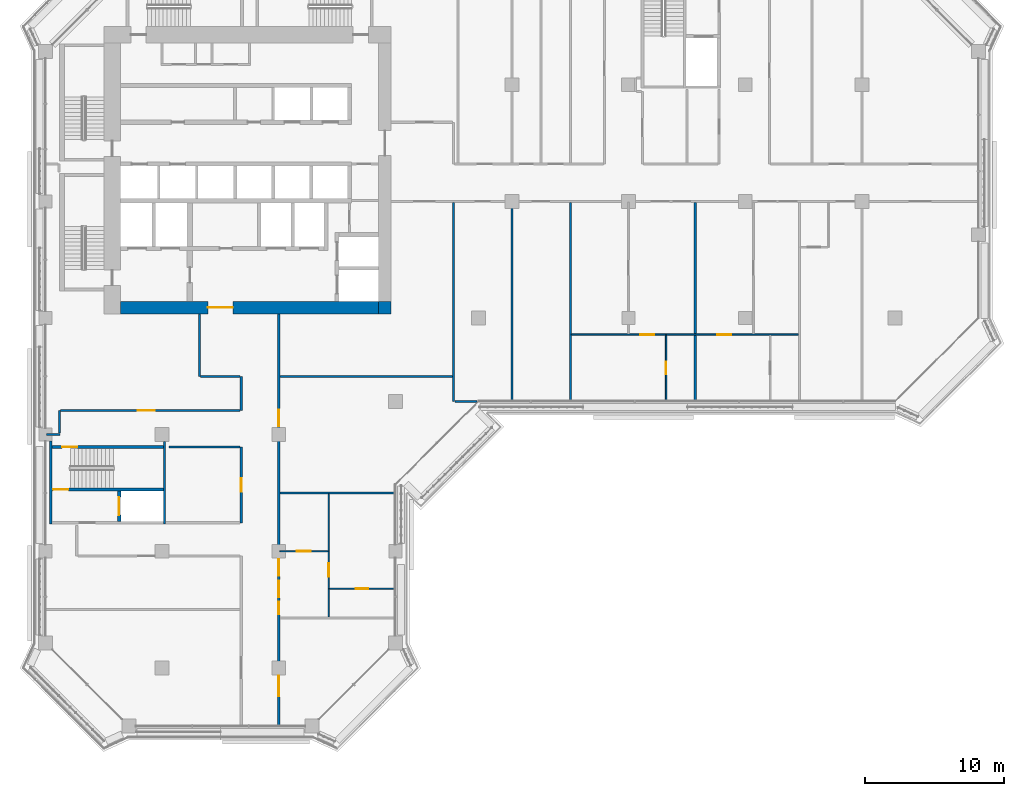
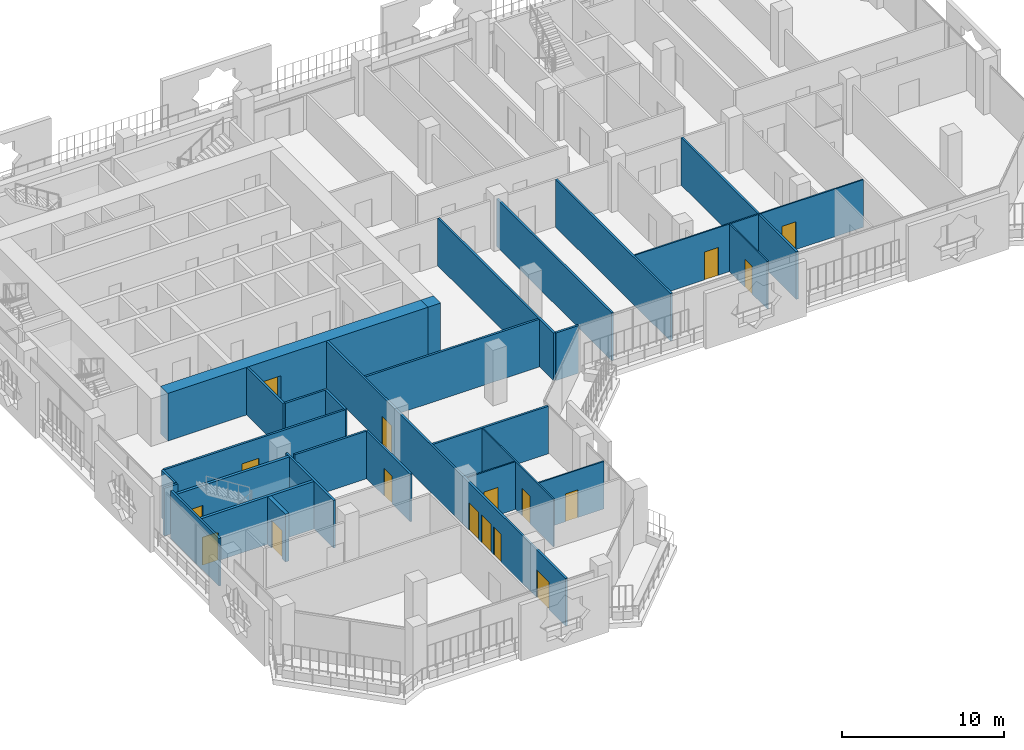
# One storey, part 10 of 22: 28 walls, 17 doors, 17 openings.
"""IFC4 building model written with IfcOpenShell, lengths in metres."""

from ifc_helpers import new_model, si_unit, direction, frame, frame_2d, origin, place, context, subcontext, project, spatial, rectangle, extrude, material, layer, layer_set, type_object, element, fill, save


model = new_model("IFC4")

# Units and contexts
model_context = context("Model", 3, precision=1e-05, world=origin(), true_north=direction((0.0, 1.0)))
body_context = subcontext(model_context, "Body", "Model", "MODEL_VIEW")
ifc_project = project(units=[si_unit("LENGTHUNIT", "METRE"), si_unit("AREAUNIT", "SQUARE_METRE"), si_unit("VOLUMEUNIT", "CUBIC_METRE"), si_unit("PLANEANGLEUNIT", "RADIAN"), si_unit("MASSUNIT", "GRAM", prefix="KILO")], contexts=[model_context])

# Site, building, storey
site_placement = place(None, origin())
site = spatial("IfcSite", under=ifc_project, at=site_placement, CompositionType="ELEMENT")
building_placement = place(site_placement, origin())
building = spatial("IfcBuilding", under=site, at=building_placement, Name="Kawkab Arch Medical Tower", CompositionType="ELEMENT")
storey_placement = place(building_placement, frame((0.0, 0.0, 204.60009765625)))
storey = spatial("IfcBuildingStorey", under=building, at=storey_placement, Name="L47", CompositionType="ELEMENT", Elevation=204.60009765625)

# Wall, opening, door
ifc_material_1 = material(Name="Concrete C55/67", Category="concrete")
ifc_layer_1 = layer(ifc_material_1, 0.89990234375)
ifc_layer_set_1 = layer_set([ifc_layer_1], Name="Concrete C55/67")
wall_type_1 = type_object("IfcWallType", Name="Core ring wall 900 C55/67", PredefinedType="SHEAR", material=ifc_layer_set_1)
wall_1_placement = place(storey_placement, frame((5.39990234375, -24.449951171875, 0.0), z_axis=(0.0, 0.0, 1.0), x_axis=(1.0, 0.0, 0.0)))
wall_1 = element("IfcWall", 1, at=wall_1_placement, inside=storey, type_object=wall_type_1, Name="L47 core wall", PredefinedType="SHEAR", context=body_context, shape_type="SweptSolid", body=[
    extrude(rectangle(XDim=18.60009765625, YDim=0.89990234375, at=frame_2d((9.300048828125, 0.0))), origin(), (0.0, 0.0, 1.0), 3.599853515625),
])
opening_1_placement = place(wall_1_placement, frame((6.300048828125, 0.0, 0.0)))
opening_1 = element("IfcOpeningElement", 2, at=opening_1_placement, cuts=wall_1, Name="Opening PD", PredefinedType="OPENING", context=body_context, shape_type="SweptSolid", body=[
    extrude(rectangle(XDim=1.800048828125, YDim=2.10009765625, at=frame_2d((0.89990234375, 1.050048828125))), frame((0.0, 0.4599609375, 0.0), z_axis=(0.0, -1.0, 0.0), x_axis=(1.0, 0.0, 0.0)), (0.0, 0.0, 1.0), 0.919921875),
])
ifc_material_2 = material(Name="Hollow metal fire door leaf")
door_type_1 = type_object("IfcDoorType", Name="Core entrance doors 1800", OperationType="DOUBLE_DOOR_SINGLE_SWING", PredefinedType="DOOR", material=ifc_material_2)
door_1_placement = place(opening_1_placement, origin())
door_1 = element("IfcDoor", 3, at=door_1_placement, inside=storey, type_object=door_type_1, Name="L47 South entrance doors", OperationType="DOUBLE_DOOR_SINGLE_SWING", OverallHeight=2.10009765625, OverallWidth=1.800048828125, PredefinedType="DOOR", context=body_context, shape_type="SweptSolid", body=[
    extrude(rectangle(XDim=1.800048828125, YDim=2.10009765625, at=frame_2d((0.89990234375, 1.050048828125))), frame((0.0, 0.02490234375, 0.0), z_axis=(0.0, -1.0, 0.0), x_axis=(1.0, 0.0, 0.0)), (0.0, 0.0, 1.0), 0.050048828125),
])
fill(opening_1, door_1)

# Wall
wall_2_placement = place(storey_placement, frame((24.449951171875, -24.89990234375, 0.0), z_axis=(0.0, 0.0, 1.0), x_axis=(0.0, 1.0, 0.0)))
element("IfcWall", 4, at=wall_2_placement, inside=storey, type_object=wall_type_1, Name="L47 core wall", PredefinedType="SHEAR", context=body_context, shape_type="SweptSolid", body=[
    extrude(rectangle(XDim=0.89990234375, YDim=0.89990234375, at=frame_2d((0.449951171875, 0.0))), origin(), (0.0, 0.0, 1.0), 3.599853515625),
])

# Wall, opening, door
ifc_material_3 = material(Name="Concrete C60/75", Category="concrete")
ifc_layer_2 = layer(ifc_material_3, 0.25)
ifc_layer_set_2 = layer_set([ifc_layer_2], Name="Concrete C60/75")
wall_type_2 = type_object("IfcWallType", Name="Core shear wall 250 C60/75", PredefinedType="SHEAR", material=ifc_layer_set_2)
wall_3_placement = place(storey_placement, frame((5.300048828125, -39.85009765625, 0.0), z_axis=(0.0, 0.0, 1.0), x_axis=(0.0, 1.0, 0.0)))
wall_3 = element("IfcWall", 5, at=wall_3_placement, inside=storey, type_object=wall_type_2, Name="L47 core shear wall", PredefinedType="SHEAR", context=body_context, shape_type="SweptSolid", body=[
    extrude(rectangle(XDim=2.2001953125, YDim=0.25, at=frame_2d((1.10009765625, 0.0))), origin(), (0.0, 0.0, 1.0), 3.599853515625),
])
opening_2_placement = place(wall_3_placement, frame((0.449951171875, 0.0, 0.0)))
opening_2 = element("IfcOpeningElement", 6, at=opening_2_placement, cuts=wall_3, Name="Opening LD2", PredefinedType="OPENING", context=body_context, shape_type="SweptSolid", body=[
    extrude(rectangle(XDim=1.300048828125, YDim=2.10009765625, at=frame_2d((0.64990234375, 1.050048828125))), frame((0.0, 0.135009765625, 0.0), z_axis=(0.0, -1.0, 0.0), x_axis=(1.0, 0.0, 0.0)), (0.0, 0.0, 1.0), 0.27001953125),
])
ifc_material_4 = material(Name="Stainless steel lift door leaf", Category="steel")
door_type_2 = type_object("IfcDoorType", Name="Lift landing door 1300", OperationType="DOUBLE_DOOR_SLIDING", PredefinedType="DOOR", material=ifc_material_4)
door_2_placement = place(opening_2_placement, origin())
door_2 = element("IfcDoor", 7, at=door_2_placement, inside=storey, type_object=door_type_2, Name="L47 Lift landing door SV2", OperationType="DOUBLE_DOOR_SLIDING", OverallHeight=2.10009765625, OverallWidth=1.300048828125, PredefinedType="DOOR", context=body_context, shape_type="SweptSolid", body=[
    extrude(rectangle(XDim=1.300048828125, YDim=2.10009765625, at=frame_2d((0.64990234375, 1.050048828125))), frame((0.0, 0.02490234375, 0.0), z_axis=(0.0, -1.0, 0.0), x_axis=(1.0, 0.0, 0.0)), (0.0, 0.0, 1.0), 0.050048828125),
])
fill(opening_2, door_2)

ifc_material_5 = material(Name="Gypsum board partition on steel studs", Category="steel")
ifc_layer_3 = layer(ifc_material_5, 0.10009765625)
ifc_layer_set_3 = layer_set([ifc_layer_3], Name="Gypsum board partition on steel studs")
wall_type_3 = type_object("IfcWallType", Name="Partition 100", PredefinedType="PARTITIONING", material=ifc_layer_set_3)
wall_4_placement = place(storey_placement, frame((20.449951171875, -44.699951171875, 0.0), z_axis=(0.0, 0.0, 1.0), x_axis=(1.0, 0.0, 0.0)))
wall_4 = element("IfcWall", 8, at=wall_4_placement, inside=storey, type_object=wall_type_3, Name="Partition 100 w001", PredefinedType="PARTITIONING", context=body_context, shape_type="SweptSolid", body=[
    extrude(rectangle(XDim=4.670166015625, YDim=0.10009765625, at=frame_2d((2.3349609375, 0.0))), origin(), (0.0, 0.0, 1.0), 3.599853515625),
])
opening_3_placement = place(wall_4_placement, frame((1.89990234375, 0.0, 0.0)))
opening_3 = element("IfcOpeningElement", 9, at=opening_3_placement, cuts=wall_4, Name="Opening W42-009", PredefinedType="OPENING", context=body_context, shape_type="SweptSolid", body=[
    extrude(rectangle(XDim=0.89990234375, YDim=2.10009765625, at=frame_2d((0.449951171875, 1.050048828125))), frame((0.0, 0.06005859375, 0.0), z_axis=(0.0, -1.0, 0.0), x_axis=(1.0, 0.0, 0.0)), (0.0, 0.0, 1.0), 0.1201171875),
])
ifc_material_6 = material(Name="Timber door leaf", Category="wood")
door_type_3 = type_object("IfcDoorType", Name="Single door 900x2100", OperationType="NOTDEFINED", PredefinedType="DOOR", material=ifc_material_6)
door_3_placement = place(opening_3_placement, origin())
door_3 = element("IfcDoor", 10, at=door_3_placement, inside=storey, type_object=door_type_3, Name="Door W42-009", OperationType="SINGLE_SWING_LEFT", OverallHeight=2.10009765625, OverallWidth=0.89990234375, PredefinedType="DOOR", context=body_context, shape_type="SweptSolid", body=[
    extrude(rectangle(XDim=0.89990234375, YDim=2.10009765625, at=frame_2d((0.449951171875, 1.050048828125))), frame((0.0, 0.02490234375, 0.0), z_axis=(0.0, -1.0, 0.0), x_axis=(1.0, 0.0, 0.0)), (0.0, 0.0, 1.0), 0.050048828125),
])
fill(opening_3, door_3)

wall_5_placement = place(storey_placement, frame((16.875, -42.0, 0.0), z_axis=(0.0, 0.0, 1.0), x_axis=(1.0, 0.0, 0.0)))
wall_5 = element("IfcWall", 11, at=wall_5_placement, inside=storey, type_object=wall_type_3, Name="Partition 100 w002", PredefinedType="PARTITIONING", context=body_context, shape_type="SweptSolid", body=[
    extrude(rectangle(XDim=3.47509765625, YDim=0.10009765625, at=frame_2d((1.737548828125, 0.0))), origin(), (0.0, 0.0, 1.0), 3.599853515625),
])
opening_4_placement = place(wall_5_placement, frame((1.22509765625, 0.0, 0.0)))
opening_4 = element("IfcOpeningElement", 12, at=opening_4_placement, cuts=wall_5, Name="Opening W42-017", PredefinedType="OPENING", context=body_context, shape_type="SweptSolid", body=[
    extrude(rectangle(XDim=1.0, YDim=2.10009765625, at=frame_2d((0.5, 1.050048828125))), frame((0.0, 0.06005859375, 0.0), z_axis=(0.0, -1.0, 0.0), x_axis=(1.0, 0.0, 0.0)), (0.0, 0.0, 1.0), 0.1201171875),
])
ifc_material_7 = material(Name="Timber door leaf", Category="wood")
door_type_4 = type_object("IfcDoorType", Name="Single door 1000x2100", OperationType="NOTDEFINED", PredefinedType="DOOR", material=ifc_material_7)
door_4_placement = place(opening_4_placement, origin())
door_4 = element("IfcDoor", 13, at=door_4_placement, inside=storey, type_object=door_type_4, Name="Door W42-017", OperationType="SINGLE_SWING_LEFT", OverallHeight=2.10009765625, OverallWidth=1.0, PredefinedType="DOOR", context=body_context, shape_type="SweptSolid", body=[
    extrude(rectangle(XDim=1.0, YDim=2.10009765625, at=frame_2d((0.5, 1.050048828125))), frame((0.0, 0.02490234375, 0.0), z_axis=(0.0, -1.0, 0.0), x_axis=(1.0, 0.0, 0.0)), (0.0, 0.0, 1.0), 0.050048828125),
])
fill(opening_4, door_4)

# Wall, openings, doors
wall_6_placement = place(storey_placement, frame((37.875, -26.39990234375, 0.0), z_axis=(0.0, 0.0, 1.0), x_axis=(1.0, 0.0, 0.0)))
wall_6 = element("IfcWall", 14, at=wall_6_placement, inside=storey, type_object=wall_type_3, Name="Partition 100 w003", PredefinedType="PARTITIONING", context=body_context, shape_type="SweptSolid", body=[
    extrude(rectangle(XDim=16.35009765625, YDim=0.10009765625, at=frame_2d((8.175048828125, 0.0))), origin(), (0.0, 0.0, 1.0), 3.599853515625),
])
opening_5_placement = place(wall_6_placement, frame((4.97509765625, 0.0, 0.0)))
opening_5 = element("IfcOpeningElement", 15, at=opening_5_placement, cuts=wall_6, Name="Opening W42-012", PredefinedType="OPENING", context=body_context, shape_type="SweptSolid", body=[
    extrude(rectangle(XDim=1.0, YDim=2.10009765625, at=frame_2d((0.5, 1.050048828125))), frame((0.0, 0.06005859375, 0.0), z_axis=(0.0, -1.0, 0.0), x_axis=(1.0, 0.0, 0.0)), (0.0, 0.0, 1.0), 0.1201171875),
])
opening_6_placement = place(wall_6_placement, frame((10.52490234375, 0.0, 0.0)))
opening_6 = element("IfcOpeningElement", 16, at=opening_6_placement, cuts=wall_6, Name="Opening W42-014", PredefinedType="OPENING", context=body_context, shape_type="SweptSolid", body=[
    extrude(rectangle(XDim=1.0, YDim=2.10009765625, at=frame_2d((0.5, 1.050048828125))), frame((0.0, 0.06005859375, 0.0), z_axis=(0.0, -1.0, 0.0), x_axis=(1.0, 0.0, 0.0)), (0.0, 0.0, 1.0), 0.1201171875),
])
door_5_placement = place(opening_5_placement, origin())
door_5 = element("IfcDoor", 17, at=door_5_placement, inside=storey, type_object=door_type_4, Name="Door W42-012", OperationType="SINGLE_SWING_RIGHT", OverallHeight=2.10009765625, OverallWidth=1.0, PredefinedType="DOOR", context=body_context, shape_type="SweptSolid", body=[
    extrude(rectangle(XDim=1.0, YDim=2.10009765625, at=frame_2d((0.5, 1.050048828125))), frame((0.0, 0.02490234375, 0.0), z_axis=(0.0, -1.0, 0.0), x_axis=(1.0, 0.0, 0.0)), (0.0, 0.0, 1.0), 0.050048828125),
])
fill(opening_5, door_5)
door_6_placement = place(opening_6_placement, origin())
door_6 = element("IfcDoor", 18, at=door_6_placement, inside=storey, type_object=door_type_4, Name="Door W42-014", OperationType="SINGLE_SWING_LEFT", OverallHeight=2.10009765625, OverallWidth=1.0, PredefinedType="DOOR", context=body_context, shape_type="SweptSolid", body=[
    extrude(rectangle(XDim=1.0, YDim=2.10009765625, at=frame_2d((0.5, 1.050048828125))), frame((0.0, 0.02490234375, 0.0), z_axis=(0.0, -1.0, 0.0), x_axis=(1.0, 0.0, 0.0)), (0.0, 0.0, 1.0), 0.050048828125),
])
fill(opening_6, door_6)

# Wall, opening, door
wall_7_placement = place(storey_placement, frame((20.39990234375, -46.72509765625, 0.0), z_axis=(0.0, 0.0, 1.0), x_axis=(0.0, 1.0, 0.0)))
wall_7 = element("IfcWall", 19, at=wall_7_placement, inside=storey, type_object=wall_type_3, Name="Partition 100 w005", PredefinedType="PARTITIONING", context=body_context, shape_type="SweptSolid", body=[
    extrude(rectangle(XDim=8.85009765625, YDim=0.10009765625, at=frame_2d((4.425048828125, 0.0))), origin(), (0.0, 0.0, 1.0), 3.599853515625),
])
opening_7_placement = place(wall_7_placement, frame((2.875, 0.0, 0.0)))
opening_7 = element("IfcOpeningElement", 20, at=opening_7_placement, cuts=wall_7, Name="Opening W42-016", PredefinedType="OPENING", context=body_context, shape_type="SweptSolid", body=[
    extrude(rectangle(XDim=1.0, YDim=2.10009765625, at=frame_2d((0.5, 1.050048828125))), frame((0.0, 0.06005859375, 0.0), z_axis=(0.0, -1.0, 0.0), x_axis=(1.0, 0.0, 0.0)), (0.0, 0.0, 1.0), 0.1201171875),
])
door_7_placement = place(opening_7_placement, origin())
door_7 = element("IfcDoor", 21, at=door_7_placement, inside=storey, type_object=door_type_4, Name="Door W42-016", OperationType="SINGLE_SWING_RIGHT", OverallHeight=2.10009765625, OverallWidth=1.0, PredefinedType="DOOR", context=body_context, shape_type="SweptSolid", body=[
    extrude(rectangle(XDim=1.0, YDim=2.10009765625, at=frame_2d((0.5, 1.050048828125))), frame((0.0, 0.02490234375, 0.0), z_axis=(0.0, -1.0, 0.0), x_axis=(1.0, 0.0, 0.0)), (0.0, 0.0, 1.0), 0.050048828125),
])
fill(opening_7, door_7)

wall_8_placement = place(storey_placement, frame((44.699951171875, -31.1201171875, 0.0), z_axis=(0.0, 0.0, 1.0), x_axis=(0.0, 1.0, 0.0)))
wall_8 = element("IfcWall", 22, at=wall_8_placement, inside=storey, type_object=wall_type_3, Name="Partition 100 w007", PredefinedType="PARTITIONING", context=body_context, shape_type="SweptSolid", body=[
    extrude(rectangle(XDim=4.670166015625, YDim=0.10009765625, at=frame_2d((2.3349609375, 0.0))), origin(), (0.0, 0.0, 1.0), 3.599853515625),
])
opening_8_placement = place(wall_8_placement, frame((1.8701171875, 0.0, 0.0)))
opening_8 = element("IfcOpeningElement", 23, at=opening_8_placement, cuts=wall_8, Name="Opening W42-006", PredefinedType="OPENING", context=body_context, shape_type="SweptSolid", body=[
    extrude(rectangle(XDim=0.89990234375, YDim=2.10009765625, at=frame_2d((0.449951171875, 1.050048828125))), frame((0.0, 0.06005859375, 0.0), z_axis=(0.0, -1.0, 0.0), x_axis=(1.0, 0.0, 0.0)), (0.0, 0.0, 1.0), 0.1201171875),
])
door_8_placement = place(opening_8_placement, origin())
door_8 = element("IfcDoor", 24, at=door_8_placement, inside=storey, type_object=door_type_3, Name="Door W42-006", OperationType="SINGLE_SWING_RIGHT", OverallHeight=2.10009765625, OverallWidth=0.89990234375, PredefinedType="DOOR", context=body_context, shape_type="SweptSolid", body=[
    extrude(rectangle(XDim=0.89990234375, YDim=2.10009765625, at=frame_2d((0.449951171875, 1.050048828125))), frame((0.0, 0.02490234375, 0.0), z_axis=(0.0, -1.0, 0.0), x_axis=(1.0, 0.0, 0.0)), (0.0, 0.0, 1.0), 0.050048828125),
])
fill(opening_8, door_8)

# Walls
ifc_material_8 = material(Name="Gypsum board partition on steel studs, mineral wool", Category="steel")
ifc_layer_4 = layer(ifc_material_8, 0.14990234375)
ifc_layer_set_4 = layer_set([ifc_layer_4], Name="Gypsum board partition on steel studs, mineral wool")
wall_type_4 = type_object("IfcWallType", Name="Partition 150", PredefinedType="PARTITIONING", material=ifc_layer_set_4)
wall_9_placement = place(storey_placement, frame((16.875, -37.800048828125, 0.0), z_axis=(0.0, 0.0, 1.0), x_axis=(1.0, 0.0, 0.0)))
element("IfcWall", 25, at=wall_9_placement, inside=storey, type_object=wall_type_4, Name="Partition 150 w015", PredefinedType="PARTITIONING", context=body_context, shape_type="SweptSolid", body=[
    extrude(rectangle(XDim=8.2451171875, YDim=0.14990234375, at=frame_2d((4.12255859375, 0.0))), origin(), (0.0, 0.0, 1.0), 3.599853515625),
])
wall_10_placement = place(storey_placement, frame((8.89990234375, -34.5, 0.0), z_axis=(0.0, 0.0, 1.0), x_axis=(1.0, 0.0, 0.0)))
element("IfcWall", 26, at=wall_10_placement, inside=storey, type_object=wall_type_4, Name="Partition 150 w016", PredefinedType="PARTITIONING", context=body_context, shape_type="SweptSolid", body=[
    extrude(rectangle(XDim=5.125, YDim=0.14990234375, at=frame_2d((2.5625, 0.0))), origin(), (0.0, 0.0, 1.0), 3.599853515625),
])
wall_11_placement = place(storey_placement, frame((0.080078125, -33.60009765625, 0.0), z_axis=(0.0, 0.0, 1.0), x_axis=(1.0, 0.0, 0.0)))
element("IfcWall", 27, at=wall_11_placement, inside=storey, type_object=wall_type_4, Name="Partition 150 w017", PredefinedType="PARTITIONING", context=body_context, shape_type="SweptSolid", body=[
    extrude(rectangle(XDim=0.969970703125, YDim=0.14990234375, at=frame_2d((0.48486328125, 0.0))), origin(), (0.0, 0.0, 1.0), 3.599853515625),
])

# Wall, opening, door
wall_12_placement = place(storey_placement, frame((1.076904296875, -31.85693359375, 0.0), z_axis=(0.0, 0.0, 1.0), x_axis=(1.0, 0.0, 0.0)))
wall_12 = element("IfcWall", 28, at=wall_12_placement, inside=storey, type_object=wall_type_4, Name="Partition 150 w018", PredefinedType="PARTITIONING", context=body_context, shape_type="SweptSolid", body=[
    extrude(rectangle(XDim=12.947998046875, YDim=0.14990234375, at=frame_2d((6.47412109375, 0.0))), origin(), (0.0, 0.0, 1.0), 3.599853515625),
])
opening_9_placement = place(wall_12_placement, frame((5.573974609375, 0.0, 0.0)))
opening_9 = element("IfcOpeningElement", 29, at=opening_9_placement, cuts=wall_12, Name="Opening W42-034", PredefinedType="OPENING", context=body_context, shape_type="SweptSolid", body=[
    extrude(rectangle(XDim=1.199951171875, YDim=2.10009765625, at=frame_2d((0.60009765625, 1.050048828125))), frame((0.0, 0.0849609375, 0.0), z_axis=(0.0, -1.0, 0.0), x_axis=(1.0, 0.0, 0.0)), (0.0, 0.0, 1.0), 0.169921875),
])
ifc_material_9 = material(Name="Hollow metal door leaf")
door_type_5 = type_object("IfcDoorType", Name="Single door 1200x2100 FD30S", OperationType="NOTDEFINED", PredefinedType="DOOR", material=ifc_material_9)
door_9_placement = place(opening_9_placement, origin())
door_9 = element("IfcDoor", 30, at=door_9_placement, inside=storey, type_object=door_type_5, Name="Door W42-034", OperationType="SINGLE_SWING_LEFT", OverallHeight=2.10009765625, OverallWidth=1.199951171875, PredefinedType="DOOR", context=body_context, shape_type="SweptSolid", body=[
    extrude(rectangle(XDim=1.199951171875, YDim=2.10009765625, at=frame_2d((0.60009765625, 1.050048828125))), frame((0.0, 0.02490234375, 0.0), z_axis=(0.0, -1.0, 0.0), x_axis=(1.0, 0.0, 0.0)), (0.0, 0.0, 1.0), 0.050048828125),
])
fill(opening_9, door_9)

# Walls
wall_13_placement = place(storey_placement, frame((29.47705078125, -31.199951171875, 0.0), z_axis=(0.0, 0.0, 1.0), x_axis=(1.0, 0.0, 0.0)))
element("IfcWall", 31, at=wall_13_placement, inside=storey, type_object=wall_type_4, Name="Partition 150 w019", PredefinedType="PARTITIONING", context=body_context, shape_type="SweptSolid", body=[
    extrude(rectangle(XDim=1.60986328125, YDim=0.14990234375, at=frame_2d((0.804931640625, 0.0))), origin(), (0.0, 0.0, 1.0), 3.599853515625),
])
wall_14_placement = place(storey_placement, frame((11.177001953125, -29.39990234375, 0.0), z_axis=(0.0, 0.0, 1.0), x_axis=(1.0, 0.0, 0.0)))
element("IfcWall", 32, at=wall_14_placement, inside=storey, type_object=wall_type_4, Name="Partition 150 w020", PredefinedType="PARTITIONING", context=body_context, shape_type="SweptSolid", body=[
    extrude(rectangle(XDim=2.847900390625, YDim=0.14990234375, at=frame_2d((1.423828125, 0.0))), origin(), (0.0, 0.0, 1.0), 3.599853515625),
])
wall_15_placement = place(storey_placement, frame((16.875, -29.39990234375, 0.0), z_axis=(0.0, 0.0, 1.0), x_axis=(1.0, 0.0, 0.0)))
element("IfcWall", 33, at=wall_15_placement, inside=storey, type_object=wall_type_4, Name="Partition 150 w021", PredefinedType="PARTITIONING", context=body_context, shape_type="SweptSolid", body=[
    extrude(rectangle(XDim=12.449951171875, YDim=0.14990234375, at=frame_2d((6.22509765625, 0.0))), origin(), (0.0, 0.0, 1.0), 3.599853515625),
])
wall_16_placement = place(storey_placement, frame((1.0, -33.465087890625, 0.0), z_axis=(0.0, 0.0, 1.0), x_axis=(0.0, 1.0, 0.0)))
element("IfcWall", 34, at=wall_16_placement, inside=storey, type_object=wall_type_4, Name="Partition 150 w033", PredefinedType="PARTITIONING", context=body_context, shape_type="SweptSolid", body=[
    extrude(rectangle(XDim=1.606201171875, YDim=0.14990234375, at=frame_2d((0.80322265625, 0.0))), origin(), (0.0, 0.0, 1.0), 3.599853515625),
])
wall_17_placement = place(storey_placement, frame((11.10009765625, -29.39892578125, 0.0), z_axis=(0.0, 0.0, 1.0), x_axis=(0.0, 1.0, 0.0)))
element("IfcWall", 35, at=wall_17_placement, inside=storey, type_object=wall_type_4, Name="Partition 150 w035", PredefinedType="PARTITIONING", context=body_context, shape_type="SweptSolid", body=[
    extrude(rectangle(XDim=4.4990234375, YDim=0.14990234375, at=frame_2d((2.24951171875, 0.0))), origin(), (0.0, 0.0, 1.0), 3.599853515625),
])

# Wall, opening, door
wall_18_placement = place(storey_placement, frame((14.10009765625, -39.949951171875, 0.0), z_axis=(0.0, 0.0, 1.0), x_axis=(0.0, 1.0, 0.0)))
wall_18 = element("IfcWall", 36, at=wall_18_placement, inside=storey, type_object=wall_type_4, Name="Partition 150 w037", PredefinedType="PARTITIONING", context=body_context, shape_type="SweptSolid", body=[
    extrude(rectangle(XDim=5.449951171875, YDim=0.14990234375, at=frame_2d((2.72509765625, 0.0))), origin(), (0.0, 0.0, 1.0), 3.599853515625),
])
opening_10_placement = place(wall_18_placement, frame((2.22509765625, 0.0, 0.0)))
opening_10 = element("IfcOpeningElement", 37, at=opening_10_placement, cuts=wall_18, Name="Opening W42-023", PredefinedType="OPENING", context=body_context, shape_type="SweptSolid", body=[
    extrude(rectangle(XDim=1.0, YDim=2.10009765625, at=frame_2d((0.5, 1.050048828125))), frame((0.0, 0.0849609375, 0.0), z_axis=(0.0, -1.0, 0.0), x_axis=(1.0, 0.0, 0.0)), (0.0, 0.0, 1.0), 0.169921875),
])
ifc_material_10 = material(Name="Hollow metal door leaf")
door_type_6 = type_object("IfcDoorType", Name="Single door 1000x2100 FD30S", OperationType="NOTDEFINED", PredefinedType="DOOR", material=ifc_material_10)
door_10_placement = place(opening_10_placement, origin())
door_10 = element("IfcDoor", 38, at=door_10_placement, inside=storey, type_object=door_type_6, Name="Door W42-023", OperationType="SINGLE_SWING_RIGHT", OverallHeight=2.10009765625, OverallWidth=1.0, PredefinedType="DOOR", context=body_context, shape_type="SweptSolid", body=[
    extrude(rectangle(XDim=1.0, YDim=2.10009765625, at=frame_2d((0.5, 1.050048828125))), frame((0.0, 0.02490234375, 0.0), z_axis=(0.0, -1.0, 0.0), x_axis=(1.0, 0.0, 0.0)), (0.0, 0.0, 1.0), 0.050048828125),
])
fill(opening_10, door_10)

# Wall
wall_19_placement = place(storey_placement, frame((14.10009765625, -31.85693359375, 0.0), z_axis=(0.0, 0.0, 1.0), x_axis=(0.0, 1.0, 0.0)))
element("IfcWall", 39, at=wall_19_placement, inside=storey, type_object=wall_type_4, Name="Partition 150 w038", PredefinedType="PARTITIONING", context=body_context, shape_type="SweptSolid", body=[
    extrude(rectangle(XDim=2.45703125, YDim=0.14990234375, at=frame_2d((1.228515625, 0.0))), origin(), (0.0, 0.0, 1.0), 3.599853515625),
])

# Wall, openings, doors
wall_20_placement = place(storey_placement, frame((16.800048828125, -54.52001953125, 0.0), z_axis=(0.0, 0.0, 1.0), x_axis=(0.0, 1.0, 0.0)))
wall_20 = element("IfcWall", 40, at=wall_20_placement, inside=storey, type_object=wall_type_4, Name="Partition 150 w039", PredefinedType="PARTITIONING", context=body_context, shape_type="SweptSolid", body=[
    extrude(rectangle(XDim=29.6201171875, YDim=0.14990234375, at=frame_2d((14.81005859375, 0.0))), origin(), (0.0, 0.0, 1.0), 3.599853515625),
])
opening_11_placement = place(wall_20_placement, frame((21.52001953125, 0.0, 0.0)))
opening_11 = element("IfcOpeningElement", 41, at=opening_11_placement, cuts=wall_20, Name="Opening W42-036", PredefinedType="OPENING", context=body_context, shape_type="SweptSolid", body=[
    extrude(rectangle(XDim=1.199951171875, YDim=2.10009765625, at=frame_2d((0.60009765625, 1.050048828125))), frame((0.0, 0.0849609375, 0.0), z_axis=(0.0, -1.0, 0.0), x_axis=(1.0, 0.0, 0.0)), (0.0, 0.0, 1.0), 0.169921875),
])
opening_12_placement = place(wall_20_placement, frame((10.760009765625, 0.0, 0.0)))
opening_12 = element("IfcOpeningElement", 42, at=opening_12_placement, cuts=wall_20, Name="Opening W42-037", PredefinedType="OPENING", context=body_context, shape_type="SweptSolid", body=[
    extrude(rectangle(XDim=1.199951171875, YDim=2.10009765625, at=frame_2d((0.60009765625, 1.050048828125))), frame((0.0, 0.0849609375, 0.0), z_axis=(0.0, -1.0, 0.0), x_axis=(1.0, 0.0, 0.0)), (0.0, 0.0, 1.0), 0.169921875),
])
opening_13_placement = place(wall_20_placement, frame((9.199951171875, 0.0, 0.0)))
opening_13 = element("IfcOpeningElement", 43, at=opening_13_placement, cuts=wall_20, Name="Opening W42-038", PredefinedType="OPENING", context=body_context, shape_type="SweptSolid", body=[
    extrude(rectangle(XDim=1.199951171875, YDim=2.10009765625, at=frame_2d((0.60009765625, 1.050048828125))), frame((0.0, 0.0849609375, 0.0), z_axis=(0.0, -1.0, 0.0), x_axis=(1.0, 0.0, 0.0)), (0.0, 0.0, 1.0), 0.169921875),
])
opening_14_placement = place(wall_20_placement, frame((7.989990234375, 0.0, 0.0)))
opening_14 = element("IfcOpeningElement", 44, at=opening_14_placement, cuts=wall_20, Name="Opening W42-011", PredefinedType="OPENING", context=body_context, shape_type="SweptSolid", body=[
    extrude(rectangle(XDim=0.89990234375, YDim=2.10009765625, at=frame_2d((0.449951171875, 1.050048828125))), frame((0.0, 0.0849609375, 0.0), z_axis=(0.0, -1.0, 0.0), x_axis=(1.0, 0.0, 0.0)), (0.0, 0.0, 1.0), 0.169921875),
])
opening_15_placement = place(wall_20_placement, frame((2.070068359375, 0.0, 0.0)))
opening_15 = element("IfcOpeningElement", 45, at=opening_15_placement, cuts=wall_20, Name="Opening W42-005", PredefinedType="OPENING", context=body_context, shape_type="SweptSolid", body=[
    extrude(rectangle(XDim=1.5, YDim=2.10009765625, at=frame_2d((0.75, 1.050048828125))), frame((0.0, 0.0849609375, 0.0), z_axis=(0.0, -1.0, 0.0), x_axis=(1.0, 0.0, 0.0)), (0.0, 0.0, 1.0), 0.169921875),
])
ifc_material_11 = material(Name="Hollow metal door leaf")
door_type_7 = type_object("IfcDoorType", Name="Double door 1500x2100 FD30S", OperationType="NOTDEFINED", PredefinedType="DOOR", material=ifc_material_11)
door_11_placement = place(opening_15_placement, origin())
door_11 = element("IfcDoor", 46, at=door_11_placement, inside=storey, type_object=door_type_7, Name="Door W42-005", OperationType="DOUBLE_DOOR_SINGLE_SWING", OverallHeight=2.10009765625, OverallWidth=1.5, PredefinedType="DOOR", context=body_context, shape_type="SweptSolid", body=[
    extrude(rectangle(XDim=1.5, YDim=2.10009765625, at=frame_2d((0.75, 1.050048828125))), frame((0.0, 0.02490234375, 0.0), z_axis=(0.0, -1.0, 0.0), x_axis=(1.0, 0.0, 0.0)), (0.0, 0.0, 1.0), 0.050048828125),
])
fill(opening_15, door_11)
door_12_placement = place(opening_11_placement, origin())
door_12 = element("IfcDoor", 47, at=door_12_placement, inside=storey, type_object=door_type_5, Name="Door W42-036", OperationType="SINGLE_SWING_LEFT", OverallHeight=2.10009765625, OverallWidth=1.199951171875, PredefinedType="DOOR", context=body_context, shape_type="SweptSolid", body=[
    extrude(rectangle(XDim=1.199951171875, YDim=2.10009765625, at=frame_2d((0.60009765625, 1.050048828125))), frame((0.0, 0.02490234375, 0.0), z_axis=(0.0, -1.0, 0.0), x_axis=(1.0, 0.0, 0.0)), (0.0, 0.0, 1.0), 0.050048828125),
])
fill(opening_11, door_12)
door_13_placement = place(opening_12_placement, origin())
door_13 = element("IfcDoor", 48, at=door_13_placement, inside=storey, type_object=door_type_5, Name="Door W42-037", OperationType="SINGLE_SWING_RIGHT", OverallHeight=2.10009765625, OverallWidth=1.199951171875, PredefinedType="DOOR", context=body_context, shape_type="SweptSolid", body=[
    extrude(rectangle(XDim=1.199951171875, YDim=2.10009765625, at=frame_2d((0.60009765625, 1.050048828125))), frame((0.0, 0.02490234375, 0.0), z_axis=(0.0, -1.0, 0.0), x_axis=(1.0, 0.0, 0.0)), (0.0, 0.0, 1.0), 0.050048828125),
])
fill(opening_12, door_13)
door_14_placement = place(opening_13_placement, origin())
door_14 = element("IfcDoor", 49, at=door_14_placement, inside=storey, type_object=door_type_5, Name="Door W42-038", OperationType="SINGLE_SWING_RIGHT", OverallHeight=2.10009765625, OverallWidth=1.199951171875, PredefinedType="DOOR", context=body_context, shape_type="SweptSolid", body=[
    extrude(rectangle(XDim=1.199951171875, YDim=2.10009765625, at=frame_2d((0.60009765625, 1.050048828125))), frame((0.0, 0.02490234375, 0.0), z_axis=(0.0, -1.0, 0.0), x_axis=(1.0, 0.0, 0.0)), (0.0, 0.0, 1.0), 0.050048828125),
])
fill(opening_13, door_14)
ifc_material_12 = material(Name="Hollow metal door leaf")
door_type_8 = type_object("IfcDoorType", Name="Single door 900x2100 FD30S", OperationType="NOTDEFINED", PredefinedType="DOOR", material=ifc_material_12)
door_15_placement = place(opening_14_placement, origin())
door_15 = element("IfcDoor", 50, at=door_15_placement, inside=storey, type_object=door_type_8, Name="Door W42-011", OperationType="SINGLE_SWING_RIGHT", OverallHeight=2.10009765625, OverallWidth=0.89990234375, PredefinedType="DOOR", context=body_context, shape_type="SweptSolid", body=[
    extrude(rectangle(XDim=0.89990234375, YDim=2.10009765625, at=frame_2d((0.449951171875, 1.050048828125))), frame((0.0, 0.02490234375, 0.0), z_axis=(0.0, -1.0, 0.0), x_axis=(1.0, 0.0, 0.0)), (0.0, 0.0, 1.0), 0.050048828125),
])
fill(opening_14, door_15)

# Walls
wall_21_placement = place(storey_placement, frame((29.39990234375, -31.197998046875, 0.0), z_axis=(0.0, 0.0, 1.0), x_axis=(0.0, 1.0, 0.0)))
element("IfcWall", 51, at=wall_21_placement, inside=storey, type_object=wall_type_4, Name="Partition 150 w040", PredefinedType="PARTITIONING", context=body_context, shape_type="SweptSolid", body=[
    extrude(rectangle(XDim=14.322998046875, YDim=0.14990234375, at=frame_2d((7.16162109375, 0.0))), origin(), (0.0, 0.0, 1.0), 3.599853515625),
])
for number, where, z_axis, x_axis, name in (
    (52, (33.60009765625, -31.1201171875, 0.0), (0.0, 0.0, 1.0), (0.0, 1.0, 0.0), "Partition 150 w043"),
    (53, (37.800048828125, -31.1201171875, 0.0), (0.0, 0.0, 1.0), (0.0, 1.0, 0.0), "Partition 150 w048"),
    (54, (46.800048828125, -31.1201171875, 0.0), (0.0, 0.0, 1.0), (0.0, 1.0, 0.0), "Partition 150 w055"),
):
    element("IfcWall", number, at=place(storey_placement, frame(where, z_axis=z_axis, x_axis=x_axis)), inside=storey, type_object=wall_type_4, Name=name, PredefinedType="PARTITIONING", context=body_context, shape_type="SweptSolid", body=[
        extrude(rectangle(XDim=14.2451171875, YDim=0.14990234375, at=frame_2d((7.12255859375, 0.0))), origin(), (0.0, 0.0, 1.0), 3.599853515625),
    ])
ifc_material_13 = material(Name="Concrete C50/60", Category="concrete")
ifc_layer_5 = layer(ifc_material_13, 0.14990234375)
ifc_layer_set_5 = layer_set([ifc_layer_5], Name="Concrete C50/60")
wall_type_5 = type_object("IfcWallType", Name="Stair enclosure wall 150 C50/60", PredefinedType="SHEAR", material=ifc_layer_set_5)
wall_22_placement = place(storey_placement, frame((0.375, -40.050048828125, 0.0), z_axis=(0.0, 0.0, 1.0), x_axis=(0.0, 1.0, 0.0)))
element("IfcWall", 55, at=wall_22_placement, inside=storey, type_object=wall_type_5, Name="L47 stair enclosure wall", PredefinedType="SHEAR", context=body_context, shape_type="SweptSolid", body=[
    extrude(rectangle(XDim=5.97509765625, YDim=0.14990234375, at=frame_2d((2.987548828125, 0.0))), origin(), (0.0, 0.0, 1.0), 3.599853515625),
])
wall_23_placement = place(storey_placement, frame((8.574951171875, -40.050048828125, 0.0), z_axis=(0.0, 0.0, 1.0), x_axis=(0.0, 1.0, 0.0)))
element("IfcWall", 56, at=wall_23_placement, inside=storey, type_object=wall_type_5, Name="L47 stair enclosure wall", PredefinedType="SHEAR", context=body_context, shape_type="SweptSolid", body=[
    extrude(rectangle(XDim=5.949951171875, YDim=0.14990234375, at=frame_2d((2.97509765625, 0.0))), origin(), (0.0, 0.0, 1.0), 3.599853515625),
])

# Wall, opening, door
ifc_material_14 = material(Name="Concrete C50/60", Category="concrete")
ifc_layer_6 = layer(ifc_material_14, 0.199951171875)
ifc_layer_set_6 = layer_set([ifc_layer_6], Name="Concrete C50/60")
wall_type_6 = type_object("IfcWallType", Name="Stair enclosure wall 200 C50/60", PredefinedType="SHEAR", material=ifc_layer_set_6)
wall_24_placement = place(storey_placement, frame((0.449951171875, -34.5, 0.0), z_axis=(0.0, 0.0, 1.0), x_axis=(1.0, 0.0, 0.0)))
wall_24 = element("IfcWall", 57, at=wall_24_placement, inside=storey, type_object=wall_type_6, Name="L47 stair enclosure wall", PredefinedType="SHEAR", context=body_context, shape_type="SweptSolid", body=[
    extrude(rectangle(XDim=8.050048828125, YDim=0.199951171875, at=frame_2d((4.02490234375, 0.0))), origin(), (0.0, 0.0, 1.0), 3.599853515625),
])
opening_16_placement = place(wall_24_placement, frame((0.75, 0.0, 0.0)))
opening_16 = element("IfcOpeningElement", 58, at=opening_16_placement, cuts=wall_24, Name="Opening SD", PredefinedType="OPENING", context=body_context, shape_type="SweptSolid", body=[
    extrude(rectangle(XDim=1.10009765625, YDim=2.10009765625, at=frame_2d((0.550048828125, 1.050048828125))), frame((0.0, 0.10986328125, 0.0), z_axis=(0.0, -1.0, 0.0), x_axis=(1.0, 0.0, 0.0)), (0.0, 0.0, 1.0), 0.219970703125),
])
ifc_material_15 = material(Name="Hollow metal fire door leaf")
door_type_9 = type_object("IfcDoorType", Name="Exit stair door 1100", OperationType="SINGLE_SWING_LEFT", PredefinedType="DOOR", material=ifc_material_15)
door_16_placement = place(opening_16_placement, origin())
door_16 = element("IfcDoor", 59, at=door_16_placement, inside=storey, type_object=door_type_9, Name="L47 Exit stair ST6 door", OperationType="SINGLE_SWING_LEFT", OverallHeight=2.10009765625, OverallWidth=1.10009765625, PredefinedType="DOOR", context=body_context, shape_type="SweptSolid", body=[
    extrude(rectangle(XDim=1.10009765625, YDim=2.10009765625, at=frame_2d((0.550048828125, 1.050048828125))), frame((0.0, 0.02490234375, 0.0), z_axis=(0.0, -1.0, 0.0), x_axis=(1.0, 0.0, 0.0)), (0.0, 0.0, 1.0), 0.050048828125),
])
fill(opening_16, door_16)

wall_25_placement = place(storey_placement, frame((0.449951171875, -37.550048828125, 0.0), z_axis=(0.0, 0.0, 1.0), x_axis=(1.0, 0.0, 0.0)))
wall_25 = element("IfcWall", 60, at=wall_25_placement, inside=storey, type_object=wall_type_6, Name="L47 stair enclosure wall", PredefinedType="SHEAR", context=body_context, shape_type="SweptSolid", body=[
    extrude(rectangle(XDim=8.050048828125, YDim=0.199951171875, at=frame_2d((4.02490234375, 0.0))), origin(), (0.0, 0.0, 1.0), 3.599853515625),
])
opening_17_placement = place(wall_25_placement, frame((0.10009765625, 0.0, 0.0)))
opening_17 = element("IfcOpeningElement", 61, at=opening_17_placement, cuts=wall_25, Name="Opening SD", PredefinedType="OPENING", context=body_context, shape_type="SweptSolid", body=[
    extrude(rectangle(XDim=1.10009765625, YDim=2.10009765625, at=frame_2d((0.550048828125, 1.050048828125))), frame((0.0, 0.10986328125, 0.0), z_axis=(0.0, -1.0, 0.0), x_axis=(1.0, 0.0, 0.0)), (0.0, 0.0, 1.0), 0.219970703125),
])
door_17_placement = place(opening_17_placement, frame((1.10009765625, 0.0, 0.0), z_axis=(0.0, 0.0, 1.0), x_axis=(-1.0, 0.0, 0.0)))
door_17 = element("IfcDoor", 62, at=door_17_placement, inside=storey, type_object=door_type_9, Name="L47 Exit stair ST6 lobby door", OperationType="SINGLE_SWING_LEFT", OverallHeight=2.10009765625, OverallWidth=1.10009765625, PredefinedType="DOOR", context=body_context, shape_type="SweptSolid", body=[
    extrude(rectangle(XDim=1.10009765625, YDim=2.10009765625, at=frame_2d((0.550048828125, 1.050048828125))), frame((0.0, 0.02490234375, 0.0), z_axis=(0.0, -1.0, 0.0), x_axis=(1.0, 0.0, 0.0)), (0.0, 0.0, 1.0), 0.050048828125),
])
fill(opening_17, door_17)

save(model, "model.ifc")
